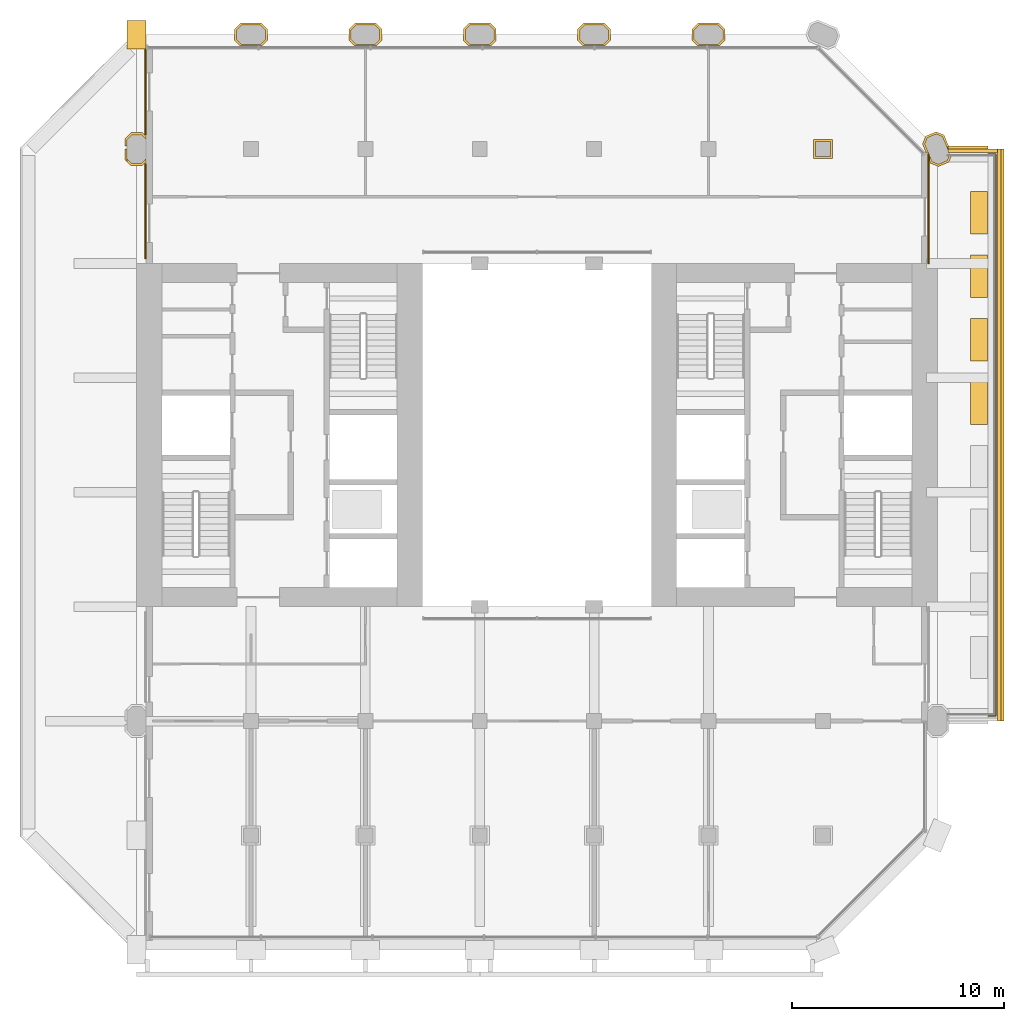
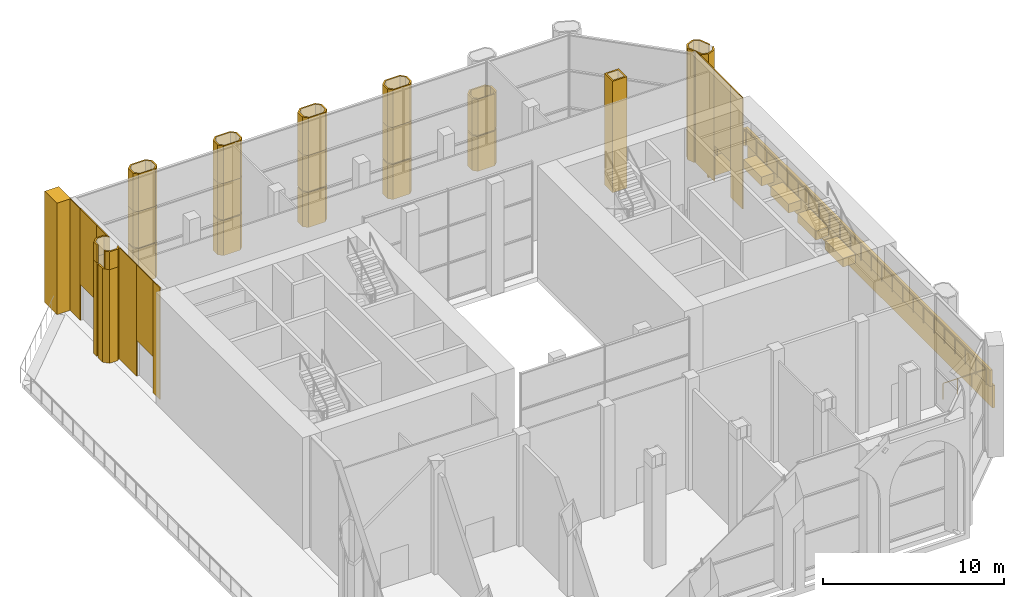
# One storey, part 18 of 20: 38 coverings, 1 railing.
"""IFC4 building model written with IfcOpenShell, lengths in metres."""

from ifc_helpers import new_model, si_unit, direction, frame, frame_2d, origin, origin_2d, place, context, subcontext, project, spatial, polyline, rectangle, circle, outline, extrude, material, layer, layer_set, type_object, element, save


model = new_model("IFC4")

# Units and contexts
model_context = context("Model", 3, precision=1e-05, world=origin(), true_north=direction((0.0, 1.0)))
body_context = subcontext(model_context, "Body", "Model", "MODEL_VIEW")
ifc_project = project(units=[si_unit("LENGTHUNIT", "METRE"), si_unit("AREAUNIT", "SQUARE_METRE"), si_unit("VOLUMEUNIT", "CUBIC_METRE"), si_unit("PLANEANGLEUNIT", "RADIAN"), si_unit("MASSUNIT", "GRAM", prefix="KILO")], contexts=[model_context])

# Site, building, storey
site_placement = place(None, origin())
site = spatial("IfcSite", under=ifc_project, at=site_placement, CompositionType="ELEMENT")
building_placement = place(site_placement, origin())
building = spatial("IfcBuilding", under=site, at=building_placement, Name="Tabaq Tower and Sports Hall", CompositionType="ELEMENT")
storey_placement = place(building_placement, frame((0.0, 0.0, 243.10009765625)))
storey = spatial("IfcBuildingStorey", under=building, at=storey_placement, Name="L60", CompositionType="ELEMENT", Elevation=243.10009765625)

# Coverings
ifc_material_1 = material(Name="Precast concrete C60/75", Category="concrete")
ifc_layer_1 = layer(ifc_material_1, 0.10009765625)
ifc_layer_set_1 = layer_set([ifc_layer_1], Name="Column cladding 100")
covering_type_1 = type_object("IfcCoveringType", Name="Column cladding 100", PredefinedType="CLADDING", material=ifc_layer_set_1)
covering_1_placement = place(storey_placement, origin())
element("IfcCovering", 1, at=covering_1_placement, inside=storey, type_object=covering_type_1, Name="Column cladding L60 PC-2H-S2", PredefinedType="CLADDING", context=body_context, shape_type="SweptSolid", body=[
    extrude(outline(polyline([(5.1337890625, 37.025390625), (4.850341796875, 37.30859375), (4.850341796875, 37.7998046875), (4.94970703125, 37.7998046875), (4.94970703125, 37.349853515625), (5.1748046875, 37.124755859375), (5.625244140625, 37.124755859375), (5.849609375, 37.349365234375), (5.849609375, 37.208740234375), (5.666259765625, 37.025390625), (5.1337890625, 37.025390625)])), origin(), (0.0, 0.0, 1.0), 6.2998046875),
])
covering_2_placement = place(storey_placement, origin())
element("IfcCovering", 2, at=covering_2_placement, inside=storey, type_object=covering_type_1, Name="Column cladding L60 PC-2H-S2 2", PredefinedType="CLADDING", context=body_context, shape_type="SweptSolid", body=[
    extrude(outline(polyline([(4.850341796875, 38.291259765625), (5.1337890625, 38.57470703125), (5.666259765625, 38.57470703125), (5.849609375, 38.391357421875), (5.849609375, 38.250732421875), (5.625244140625, 38.475341796875), (5.1748046875, 38.475341796875), (4.94970703125, 38.250244140625), (4.94970703125, 37.9501953125), (4.850341796875, 37.95556640625), (4.850341796875, 38.291259765625)])), origin(), (0.0, 0.0, 1.0), 6.2998046875),
])
covering_3_placement = place(storey_placement, frame((0.0, 0.0, 6.2998046875)))
element("IfcCovering", 3, at=covering_3_placement, inside=storey, type_object=covering_type_1, Name="Column cladding L60 PC-2H-S2 head", PredefinedType="CLADDING", context=body_context, shape_type="SweptSolid", body=[
    extrude(outline(polyline([(5.1337890625, 38.57470703125), (5.666259765625, 38.57470703125), (5.849609375, 38.391357421875), (5.849609375, 38.250732421875), (5.625244140625, 38.475341796875), (5.1748046875, 38.475341796875), (4.94970703125, 38.250244140625), (4.94970703125, 37.9501953125), (4.850341796875, 37.95556640625), (4.850341796875, 38.291259765625), (5.1337890625, 38.57470703125)])), origin(), (0.0, 0.0, 1.0), 1.2001953125),
])
covering_4_placement = place(storey_placement, frame((0.0, 0.0, 6.2998046875)))
element("IfcCovering", 4, at=covering_4_placement, inside=storey, type_object=covering_type_1, Name="Column cladding L60 PC-2H-S2 head 2", PredefinedType="CLADDING", context=body_context, shape_type="SweptSolid", body=[
    extrude(outline(polyline([(4.9501953125, 37.208740234375), (4.9501953125, 37.349365234375), (5.1748046875, 37.124755859375), (5.625244140625, 37.124755859375), (5.849609375, 37.349365234375), (5.849609375, 37.208740234375), (5.666259765625, 37.025390625), (5.1337890625, 37.025390625), (4.9501953125, 37.208740234375)])), origin(), (0.0, 0.0, 1.0), 1.2001953125),
])
covering_5_placement = place(storey_placement, frame((0.0, 0.0, 0.114990234375)))
element("IfcCovering", 5, at=covering_5_placement, inside=storey, type_object=covering_type_1, Name="Column cladding L60 PC-3I-S2", PredefinedType="CLADDING", context=body_context, shape_type="SweptSolid", body=[
    extrude(outline(polyline([(10.025390625, 43.46630859375), (10.30859375, 43.749755859375), (11.291259765625, 43.749755859375), (11.57470703125, 43.46630859375), (11.57470703125, 42.93359375), (11.34130859375, 42.7001953125), (10.2587890625, 42.7001953125), (10.025390625, 42.93359375), (10.025390625, 43.46630859375)]), holes=[polyline([(11.475341796875, 42.974853515625), (11.475341796875, 43.425048828125), (11.250244140625, 43.650390625), (10.349853515625, 43.650390625), (10.124755859375, 43.425048828125), (10.124755859375, 42.974853515625), (10.349853515625, 42.749755859375), (11.250244140625, 42.749755859375), (11.475341796875, 42.974853515625)])]), origin(), (0.0, 0.0, 1.0), 2.349853515625),
])
covering_6_placement = place(storey_placement, frame((0.0, 0.0, 2.534912109375)))
element("IfcCovering", 6, at=covering_6_placement, inside=storey, type_object=covering_type_1, Name="Column cladding L60 PC-3I-S2 2", PredefinedType="CLADDING", context=body_context, shape_type="SweptSolid", body=[
    extrude(outline(polyline([(10.025390625, 43.46630859375), (10.30859375, 43.749755859375), (11.291259765625, 43.749755859375), (11.57470703125, 43.46630859375), (11.57470703125, 42.93359375), (11.34130859375, 42.7001953125), (10.2587890625, 42.7001953125), (10.025390625, 42.93359375), (10.025390625, 43.46630859375)]), holes=[polyline([(11.475341796875, 42.974853515625), (11.475341796875, 43.425048828125), (11.250244140625, 43.650390625), (10.349853515625, 43.650390625), (10.124755859375, 43.425048828125), (10.124755859375, 42.974853515625), (10.349853515625, 42.749755859375), (11.250244140625, 42.749755859375), (11.475341796875, 42.974853515625)])]), origin(), (0.0, 0.0, 1.0), 2.429931640625),
])
covering_7_placement = place(storey_placement, frame((0.0, 0.0, 4.96484375)))
element("IfcCovering", 7, at=covering_7_placement, inside=storey, type_object=covering_type_1, Name="Column cladding L60 PC-3I-S2 head", PredefinedType="CLADDING", context=body_context, shape_type="SweptSolid", body=[
    extrude(outline(polyline([(10.30859375, 43.749755859375), (11.291259765625, 43.749755859375), (11.57470703125, 43.46630859375), (11.57470703125, 42.93359375), (11.34130859375, 42.7001953125), (10.2587890625, 42.7001953125), (10.025390625, 42.93359375), (10.025390625, 43.46630859375), (10.30859375, 43.749755859375)]), holes=[polyline([(11.475341796875, 43.425048828125), (11.250244140625, 43.650390625), (10.349853515625, 43.650390625), (10.124755859375, 43.425048828125), (10.124755859375, 42.974853515625), (10.349853515625, 42.749755859375), (11.250244140625, 42.749755859375), (11.475341796875, 42.974853515625), (11.475341796875, 43.425048828125)])]), origin(), (0.0, 0.0, 1.0), 2.53515625),
])
covering_8_placement = place(storey_placement, frame((0.0, 0.0, 0.114990234375)))
element("IfcCovering", 8, at=covering_8_placement, inside=storey, type_object=covering_type_1, Name="Column cladding L60 PC-4I-S2", PredefinedType="CLADDING", context=body_context, shape_type="SweptSolid", body=[
    extrude(outline(polyline([(15.42529296875, 43.46630859375), (15.708740234375, 43.749755859375), (16.69140625, 43.749755859375), (16.974609375, 43.46630859375), (16.974609375, 42.93359375), (16.7412109375, 42.7001953125), (15.65869140625, 42.7001953125), (15.42529296875, 42.93359375), (15.42529296875, 43.46630859375)]), holes=[polyline([(16.875244140625, 42.974853515625), (16.875244140625, 43.425048828125), (16.650146484375, 43.650390625), (15.749755859375, 43.650390625), (15.524658203125, 43.425048828125), (15.524658203125, 42.974853515625), (15.749755859375, 42.749755859375), (16.650146484375, 42.749755859375), (16.875244140625, 42.974853515625)])]), origin(), (0.0, 0.0, 1.0), 2.349853515625),
])
covering_9_placement = place(storey_placement, frame((0.0, 0.0, 2.534912109375)))
element("IfcCovering", 9, at=covering_9_placement, inside=storey, type_object=covering_type_1, Name="Column cladding L60 PC-4I-S2 2", PredefinedType="CLADDING", context=body_context, shape_type="SweptSolid", body=[
    extrude(outline(polyline([(15.42529296875, 43.46630859375), (15.708740234375, 43.749755859375), (16.69140625, 43.749755859375), (16.974609375, 43.46630859375), (16.974609375, 42.93359375), (16.7412109375, 42.7001953125), (15.65869140625, 42.7001953125), (15.42529296875, 42.93359375), (15.42529296875, 43.46630859375)]), holes=[polyline([(16.875244140625, 42.974853515625), (16.875244140625, 43.425048828125), (16.650146484375, 43.650390625), (15.749755859375, 43.650390625), (15.524658203125, 43.425048828125), (15.524658203125, 42.974853515625), (15.749755859375, 42.749755859375), (16.650146484375, 42.749755859375), (16.875244140625, 42.974853515625)])]), origin(), (0.0, 0.0, 1.0), 2.429931640625),
])
covering_10_placement = place(storey_placement, frame((0.0, 0.0, 4.96484375)))
element("IfcCovering", 10, at=covering_10_placement, inside=storey, type_object=covering_type_1, Name="Column cladding L60 PC-4I-S2 head", PredefinedType="CLADDING", context=body_context, shape_type="SweptSolid", body=[
    extrude(outline(polyline([(15.708740234375, 43.749755859375), (16.69140625, 43.749755859375), (16.974609375, 43.46630859375), (16.974609375, 42.93359375), (16.7412109375, 42.7001953125), (15.65869140625, 42.7001953125), (15.42529296875, 42.93359375), (15.42529296875, 43.46630859375), (15.708740234375, 43.749755859375)]), holes=[polyline([(16.875244140625, 43.425048828125), (16.650146484375, 43.650390625), (15.749755859375, 43.650390625), (15.524658203125, 43.425048828125), (15.524658203125, 42.974853515625), (15.749755859375, 42.749755859375), (16.650146484375, 42.749755859375), (16.875244140625, 42.974853515625), (16.875244140625, 43.425048828125)])]), origin(), (0.0, 0.0, 1.0), 2.53515625),
])
covering_11_placement = place(storey_placement, frame((0.0, 0.0, 0.114990234375)))
element("IfcCovering", 11, at=covering_11_placement, inside=storey, type_object=covering_type_1, Name="Column cladding L60 PC-5I-S2", PredefinedType="CLADDING", context=body_context, shape_type="SweptSolid", body=[
    extrude(outline(polyline([(20.8251953125, 43.46630859375), (21.108642578125, 43.749755859375), (22.09130859375, 43.749755859375), (22.374755859375, 43.46630859375), (22.374755859375, 42.93359375), (22.141357421875, 42.7001953125), (21.05859375, 42.7001953125), (20.8251953125, 42.93359375), (20.8251953125, 43.46630859375)]), holes=[polyline([(22.275390625, 42.974853515625), (22.275390625, 43.425048828125), (22.050048828125, 43.650390625), (21.14990234375, 43.650390625), (20.9248046875, 43.425048828125), (20.9248046875, 42.974853515625), (21.14990234375, 42.749755859375), (22.050048828125, 42.749755859375), (22.275390625, 42.974853515625)])]), origin(), (0.0, 0.0, 1.0), 2.349853515625),
])
covering_12_placement = place(storey_placement, frame((0.0, 0.0, 2.534912109375)))
element("IfcCovering", 12, at=covering_12_placement, inside=storey, type_object=covering_type_1, Name="Column cladding L60 PC-5I-S2 2", PredefinedType="CLADDING", context=body_context, shape_type="SweptSolid", body=[
    extrude(outline(polyline([(20.8251953125, 43.46630859375), (21.108642578125, 43.749755859375), (22.09130859375, 43.749755859375), (22.374755859375, 43.46630859375), (22.374755859375, 42.93359375), (22.141357421875, 42.7001953125), (21.05859375, 42.7001953125), (20.8251953125, 42.93359375), (20.8251953125, 43.46630859375)]), holes=[polyline([(22.275390625, 42.974853515625), (22.275390625, 43.425048828125), (22.050048828125, 43.650390625), (21.14990234375, 43.650390625), (20.9248046875, 43.425048828125), (20.9248046875, 42.974853515625), (21.14990234375, 42.749755859375), (22.050048828125, 42.749755859375), (22.275390625, 42.974853515625)])]), origin(), (0.0, 0.0, 1.0), 2.429931640625),
])
covering_13_placement = place(storey_placement, frame((0.0, 0.0, 4.96484375)))
element("IfcCovering", 13, at=covering_13_placement, inside=storey, type_object=covering_type_1, Name="Column cladding L60 PC-5I-S2 head", PredefinedType="CLADDING", context=body_context, shape_type="SweptSolid", body=[
    extrude(outline(polyline([(21.108642578125, 43.749755859375), (22.09130859375, 43.749755859375), (22.374755859375, 43.46630859375), (22.374755859375, 42.93359375), (22.141357421875, 42.7001953125), (21.05859375, 42.7001953125), (20.8251953125, 42.93359375), (20.8251953125, 43.46630859375), (21.108642578125, 43.749755859375)]), holes=[polyline([(22.275390625, 43.425048828125), (22.050048828125, 43.650390625), (21.14990234375, 43.650390625), (20.9248046875, 43.425048828125), (20.9248046875, 42.974853515625), (21.14990234375, 42.749755859375), (22.050048828125, 42.749755859375), (22.275390625, 42.974853515625), (22.275390625, 43.425048828125)])]), origin(), (0.0, 0.0, 1.0), 2.53515625),
])
covering_14_placement = place(storey_placement, frame((0.0, 0.0, 0.114990234375)))
element("IfcCovering", 14, at=covering_14_placement, inside=storey, type_object=covering_type_1, Name="Column cladding L60 PC-6I-S2", PredefinedType="CLADDING", context=body_context, shape_type="SweptSolid", body=[
    extrude(outline(polyline([(26.225341796875, 43.46630859375), (26.5087890625, 43.749755859375), (27.4912109375, 43.749755859375), (27.774658203125, 43.46630859375), (27.774658203125, 42.93359375), (27.541259765625, 42.7001953125), (26.458740234375, 42.7001953125), (26.225341796875, 42.93359375), (26.225341796875, 43.46630859375)]), holes=[polyline([(27.67529296875, 42.974853515625), (27.67529296875, 43.425048828125), (27.4501953125, 43.650390625), (26.5498046875, 43.650390625), (26.32470703125, 43.425048828125), (26.32470703125, 42.974853515625), (26.5498046875, 42.749755859375), (27.4501953125, 42.749755859375), (27.67529296875, 42.974853515625)])]), origin(), (0.0, 0.0, 1.0), 2.349853515625),
])
covering_15_placement = place(storey_placement, frame((0.0, 0.0, 2.534912109375)))
element("IfcCovering", 15, at=covering_15_placement, inside=storey, type_object=covering_type_1, Name="Column cladding L60 PC-6I-S2 2", PredefinedType="CLADDING", context=body_context, shape_type="SweptSolid", body=[
    extrude(outline(polyline([(26.225341796875, 43.46630859375), (26.5087890625, 43.749755859375), (27.4912109375, 43.749755859375), (27.774658203125, 43.46630859375), (27.774658203125, 42.93359375), (27.541259765625, 42.7001953125), (26.458740234375, 42.7001953125), (26.225341796875, 42.93359375), (26.225341796875, 43.46630859375)]), holes=[polyline([(27.67529296875, 42.974853515625), (27.67529296875, 43.425048828125), (27.4501953125, 43.650390625), (26.5498046875, 43.650390625), (26.32470703125, 43.425048828125), (26.32470703125, 42.974853515625), (26.5498046875, 42.749755859375), (27.4501953125, 42.749755859375), (27.67529296875, 42.974853515625)])]), origin(), (0.0, 0.0, 1.0), 2.429931640625),
])
covering_16_placement = place(storey_placement, frame((0.0, 0.0, 4.96484375)))
element("IfcCovering", 16, at=covering_16_placement, inside=storey, type_object=covering_type_1, Name="Column cladding L60 PC-6I-S2 head", PredefinedType="CLADDING", context=body_context, shape_type="SweptSolid", body=[
    extrude(outline(polyline([(26.5087890625, 43.749755859375), (27.4912109375, 43.749755859375), (27.774658203125, 43.46630859375), (27.774658203125, 42.93359375), (27.541259765625, 42.7001953125), (26.458740234375, 42.7001953125), (26.225341796875, 42.93359375), (26.225341796875, 43.46630859375), (26.5087890625, 43.749755859375)]), holes=[polyline([(27.67529296875, 43.425048828125), (27.4501953125, 43.650390625), (26.5498046875, 43.650390625), (26.32470703125, 43.425048828125), (26.32470703125, 42.974853515625), (26.5498046875, 42.749755859375), (27.4501953125, 42.749755859375), (27.67529296875, 42.974853515625), (27.67529296875, 43.425048828125)])]), origin(), (0.0, 0.0, 1.0), 2.53515625),
])
covering_17_placement = place(storey_placement, frame((0.0, 0.0, 0.114990234375)))
element("IfcCovering", 17, at=covering_17_placement, inside=storey, type_object=covering_type_1, Name="Column cladding L60 PC-7I-S2", PredefinedType="CLADDING", context=body_context, shape_type="SweptSolid", body=[
    extrude(outline(polyline([(31.625244140625, 43.46630859375), (31.90869140625, 43.749755859375), (32.891357421875, 43.749755859375), (33.1748046875, 43.46630859375), (33.1748046875, 42.93359375), (32.94140625, 42.7001953125), (31.858642578125, 42.7001953125), (31.625244140625, 42.93359375), (31.625244140625, 43.46630859375)]), holes=[polyline([(33.0751953125, 42.974853515625), (33.0751953125, 43.425048828125), (32.85009765625, 43.650390625), (31.949951171875, 43.650390625), (31.724609375, 43.425048828125), (31.724609375, 42.974853515625), (31.949951171875, 42.749755859375), (32.85009765625, 42.749755859375), (33.0751953125, 42.974853515625)])]), origin(), (0.0, 0.0, 1.0), 2.349853515625),
])
covering_18_placement = place(storey_placement, frame((0.0, 0.0, 2.534912109375)))
element("IfcCovering", 18, at=covering_18_placement, inside=storey, type_object=covering_type_1, Name="Column cladding L60 PC-7I-S2 2", PredefinedType="CLADDING", context=body_context, shape_type="SweptSolid", body=[
    extrude(outline(polyline([(31.625244140625, 43.46630859375), (31.90869140625, 43.749755859375), (32.891357421875, 43.749755859375), (33.1748046875, 43.46630859375), (33.1748046875, 42.93359375), (32.94140625, 42.7001953125), (31.858642578125, 42.7001953125), (31.625244140625, 42.93359375), (31.625244140625, 43.46630859375)]), holes=[polyline([(33.0751953125, 42.974853515625), (33.0751953125, 43.425048828125), (32.85009765625, 43.650390625), (31.949951171875, 43.650390625), (31.724609375, 43.425048828125), (31.724609375, 42.974853515625), (31.949951171875, 42.749755859375), (32.85009765625, 42.749755859375), (33.0751953125, 42.974853515625)])]), origin(), (0.0, 0.0, 1.0), 2.429931640625),
])
covering_19_placement = place(storey_placement, origin())
element("IfcCovering", 19, at=covering_19_placement, inside=storey, type_object=covering_type_1, Name="Column cladding L60 CC-8H-S2", PredefinedType="CLADDING", context=body_context, shape_type="SweptSolid", body=[
    extrude(outline(polyline([(37.350341796875, 38.249755859375), (38.249755859375, 38.249755859375), (38.249755859375, 37.350341796875), (37.350341796875, 37.350341796875), (37.350341796875, 38.249755859375)]), holes=[polyline([(38.150390625, 37.44970703125), (38.150390625, 38.150390625), (37.44970703125, 38.150390625), (37.44970703125, 37.44970703125), (38.150390625, 37.44970703125)])]), origin(), (0.0, 0.0, 1.0), 7.5),
])
covering_20_placement = place(storey_placement, origin())
element("IfcCovering", 20, at=covering_20_placement, inside=storey, type_object=covering_type_1, Name="Column cladding L60 PC-9H-S2", PredefinedType="CLADDING", context=body_context, shape_type="SweptSolid", body=[
    extrude(outline(polyline([(43.25048828125, 36.982421875), (42.880126953125, 37.1357421875), (42.810302734375, 37.304443359375), (42.810302734375, 37.55712890625), (42.750244140625, 37.55712890625), (42.750244140625, 37.614013671875), (42.68212890625, 37.614013671875), (42.504150390625, 38.04345703125), (42.657470703125, 38.413818359375), (43.149658203125, 38.61767578125), (43.519775390625, 38.46435546875), (43.794921875, 37.80029296875), (43.69970703125, 37.80029296875), (43.69970703125, 37.770263671875), (43.44384765625, 38.38818359375), (43.149658203125, 38.510009765625), (42.733642578125, 38.337646484375), (42.61181640625, 38.04345703125), (42.956298828125, 37.2119140625), (43.25048828125, 37.08984375), (43.66650390625, 37.26220703125), (43.7607421875, 37.48974609375), (43.8681640625, 37.48974609375), (43.742431640625, 37.186279296875), (43.25048828125, 36.982421875)])), origin(), (0.0, 0.0, 1.0), 7.5),
])

# Railing
ifc_material_2 = material(Name="Stainless steel S316 and laminated glass", Category="steel")
railing_type = type_object("IfcRailingType", Name="Guard 1100 steel and glass", PredefinedType="GUARDRAIL", material=ifc_material_2)
railing_placement = place(storey_placement, frame((43.199951171875, 11.050048828125, 0.0)))
element("IfcRailing", 21, at=railing_placement, inside=storey, type_object=railing_type, Name="Tray guard L60", PredefinedType="GUARDRAIL", context=body_context, shape_type="SweptSolid", body=[
    extrude(circle(Radius=0.02490234375, at=origin_2d()), frame((0.0, 0.0, 1.0751953125), z_axis=(1.0, 0.0, 0.0), x_axis=(0.0, 1.0, 0.0)), (0.0, 0.0, 1.0), 2.75),
    extrude(circle(Radius=0.02490234375, at=origin_2d()), frame((2.75, 0.0, 1.0751953125), z_axis=(0.0, 1.0, 0.0), x_axis=(-1.0, 0.0, 0.0)), (0.0, 0.0, 1.0), 26.5),
    extrude(circle(Radius=0.02490234375, at=origin_2d()), frame((2.75, 26.5, 1.0751953125), z_axis=(-1.0, 0.0, 0.0), x_axis=(0.0, -1.0, 0.0)), (0.0, 0.0, 1.0), 2.75),
    extrude(circle(Radius=0.02001953125, at=origin_2d()), origin(), (0.0, 0.0, 1.0), 1.050048828125),
    extrude(circle(Radius=0.02001953125, at=origin_2d()), frame((0.916748046875, 0.0, 0.0)), (0.0, 0.0, 1.0), 1.050048828125),
    extrude(circle(Radius=0.02001953125, at=origin_2d()), frame((1.833251953125, 0.0, 0.0)), (0.0, 0.0, 1.0), 1.050048828125),
    extrude(circle(Radius=0.02001953125, at=origin_2d()), frame((2.75, 0.0, 0.0)), (0.0, 0.0, 1.0), 1.050048828125),
    extrude(circle(Radius=0.02001953125, at=origin_2d()), frame((2.75, 1.152099609375, 0.0)), (0.0, 0.0, 1.0), 1.050048828125),
    extrude(circle(Radius=0.02001953125, at=origin_2d()), frame((2.75, 2.304443359375, 0.0)), (0.0, 0.0, 1.0), 1.050048828125),
    extrude(circle(Radius=0.02001953125, at=origin_2d()), frame((2.75, 3.45654296875, 0.0)), (0.0, 0.0, 1.0), 1.050048828125),
    extrude(circle(Radius=0.02001953125, at=origin_2d()), frame((2.75, 4.608642578125, 0.0)), (0.0, 0.0, 1.0), 1.050048828125),
    extrude(circle(Radius=0.02001953125, at=origin_2d()), frame((2.75, 5.760986328125, 0.0)), (0.0, 0.0, 1.0), 1.050048828125),
    extrude(circle(Radius=0.02001953125, at=origin_2d()), frame((2.75, 6.9130859375, 0.0)), (0.0, 0.0, 1.0), 1.050048828125),
    extrude(circle(Radius=0.02001953125, at=origin_2d()), frame((2.75, 8.065185546875, 0.0)), (0.0, 0.0, 1.0), 1.050048828125),
    extrude(circle(Radius=0.02001953125, at=origin_2d()), frame((2.75, 9.21728515625, 0.0)), (0.0, 0.0, 1.0), 1.050048828125),
    extrude(circle(Radius=0.02001953125, at=origin_2d()), frame((2.75, 10.36962890625, 0.0)), (0.0, 0.0, 1.0), 1.050048828125),
    extrude(circle(Radius=0.02001953125, at=origin_2d()), frame((2.75, 11.521728515625, 0.0)), (0.0, 0.0, 1.0), 1.050048828125),
    extrude(circle(Radius=0.02001953125, at=origin_2d()), frame((2.75, 12.673828125, 0.0)), (0.0, 0.0, 1.0), 1.050048828125),
    extrude(circle(Radius=0.02001953125, at=origin_2d()), frame((2.75, 13.826171875, 0.0)), (0.0, 0.0, 1.0), 1.050048828125),
    extrude(circle(Radius=0.02001953125, at=origin_2d()), frame((2.75, 14.978271484375, 0.0)), (0.0, 0.0, 1.0), 1.050048828125),
    extrude(circle(Radius=0.02001953125, at=origin_2d()), frame((2.75, 16.13037109375, 0.0)), (0.0, 0.0, 1.0), 1.050048828125),
    extrude(circle(Radius=0.02001953125, at=origin_2d()), frame((2.75, 17.28271484375, 0.0)), (0.0, 0.0, 1.0), 1.050048828125),
    extrude(circle(Radius=0.02001953125, at=origin_2d()), frame((2.75, 18.434814453125, 0.0)), (0.0, 0.0, 1.0), 1.050048828125),
    extrude(circle(Radius=0.02001953125, at=origin_2d()), frame((2.75, 19.5869140625, 0.0)), (0.0, 0.0, 1.0), 1.050048828125),
    extrude(circle(Radius=0.02001953125, at=origin_2d()), frame((2.75, 20.739013671875, 0.0)), (0.0, 0.0, 1.0), 1.050048828125),
    extrude(circle(Radius=0.02001953125, at=origin_2d()), frame((2.75, 21.891357421875, 0.0)), (0.0, 0.0, 1.0), 1.050048828125),
    extrude(circle(Radius=0.02001953125, at=origin_2d()), frame((2.75, 23.04345703125, 0.0)), (0.0, 0.0, 1.0), 1.050048828125),
    extrude(circle(Radius=0.02001953125, at=origin_2d()), frame((2.75, 24.195556640625, 0.0)), (0.0, 0.0, 1.0), 1.050048828125),
    extrude(circle(Radius=0.02001953125, at=origin_2d()), frame((2.75, 25.347900390625, 0.0)), (0.0, 0.0, 1.0), 1.050048828125),
    extrude(circle(Radius=0.02001953125, at=origin_2d()), frame((2.75, 26.5, 0.0)), (0.0, 0.0, 1.0), 1.050048828125),
    extrude(circle(Radius=0.02001953125, at=origin_2d()), frame((1.833251953125, 26.5, 0.0)), (0.0, 0.0, 1.0), 1.050048828125),
    extrude(circle(Radius=0.02001953125, at=origin_2d()), frame((0.916748046875, 26.5, 0.0)), (0.0, 0.0, 1.0), 1.050048828125),
    extrude(circle(Radius=0.02001953125, at=origin_2d()), frame((0.0, 26.5, 0.0)), (0.0, 0.0, 1.0), 1.050048828125),
])

# Coverings
ifc_material_3 = material(Name="White precast concrete C60/75", Category="concrete")
covering_type_2 = type_object("IfcCoveringType", Name="Pier cladding hung 1350x900", PredefinedType="CLADDING", material=ifc_material_3)
covering_21_placement = place(storey_placement, frame((5.39990234375, 43.875, 0.0), z_axis=(0.0, 0.0, 1.0), x_axis=(0.0, -1.0, 0.0)))
element("IfcCovering", 22, at=covering_21_placement, inside=storey, type_object=covering_type_2, Name="Hung pier cladding 1/8", PredefinedType="CLADDING", context=body_context, shape_type="SweptSolid", body=[
    extrude(rectangle(XDim=1.35009765625, YDim=0.89990234375, at=frame_2d((0.675048828125, 0.0))), origin(), (0.0, 0.0, 1.0), 7.5),
])
ifc_material_4 = material(Name="Planting soil and drainage layer")
covering_type_3 = type_object("IfcCoveringType", Name="Planter 2000x800x600", PredefinedType="USERDEFINED", material=ifc_material_4)
for number, where, z_axis, x_axis, name in (
    (23, (45.169921875, 25.800048828125, -0.000244140625), (0.0, 0.0, 1.0), (0.0, 1.0, 0.0), "Planter L60"),
    (24, (45.169921875, 28.800048828125, -0.000244140625), (0.0, 0.0, 1.0), (0.0, 1.0, 0.0), "Planter L60"),
    (25, (45.169921875, 31.800048828125, -0.000244140625), (0.0, 0.0, 1.0), (0.0, 1.0, 0.0), "Planter L60"),
    (26, (45.169921875, 34.800048828125, -0.000244140625), (0.0, 0.0, 1.0), (0.0, 1.0, 0.0), "Planter L60"),
):
    element("IfcCovering", number, at=place(storey_placement, frame(where, z_axis=z_axis, x_axis=x_axis)), inside=storey, type_object=covering_type_3, Name=name, ObjectType="PLANTER", PredefinedType="USERDEFINED", context=body_context, shape_type="SweptSolid", body=[
        extrude(rectangle(XDim=2.0, YDim=0.800048828125, at=origin_2d()), origin(), (0.0, 0.0, 1.0), 0.60009765625),
    ])
ifc_material_5 = material(Name="Precast concrete C60/75", Category="concrete")
ifc_layer_2 = layer(ifc_material_5, 0.14990234375)
ifc_layer_set_2 = layer_set([ifc_layer_2], Name="Tray fascia 1200")
covering_type_4 = type_object("IfcCoveringType", Name="Tray fascia 1200", PredefinedType="CLADDING", material=ifc_layer_set_2)
covering_22_placement = place(storey_placement, frame((43.69677734375, 37.875, -1.5), z_axis=(0.0, 0.0, 1.0), x_axis=(1.0, 0.0, 0.0)))
element("IfcCovering", 27, at=covering_22_placement, inside=storey, type_object=covering_type_4, Name="Tray fascia L60 EBT", PredefinedType="CLADDING", context=body_context, shape_type="SweptSolid", body=[
    extrude(rectangle(XDim=1.9033203125, YDim=0.14990234375, at=frame_2d((0.95166015625, 0.0))), origin(), (0.0, 0.0, 1.0), 1.5),
])
covering_23_placement = place(storey_placement, frame((46.27490234375, 10.800048828125, -1.5), z_axis=(0.0, 0.0, 1.0), x_axis=(0.0, 1.0, 0.0)))
element("IfcCovering", 28, at=covering_23_placement, inside=storey, type_object=covering_type_4, Name="Tray fascia L60 EBT", PredefinedType="CLADDING", context=body_context, shape_type="SweptSolid", body=[
    extrude(rectangle(XDim=27.0, YDim=0.14990234375, at=frame_2d((13.5, 0.0))), origin(), (0.0, 0.0, 1.0), 1.5),
])
ifc_material_6 = material(Name="Precast concrete C60/75", Category="concrete")
ifc_layer_3 = layer(ifc_material_6, 0.14990234375)
ifc_layer_set_3 = layer_set([ifc_layer_3], Name="Tray upstand cladding 1100")
covering_type_5 = type_object("IfcCoveringType", Name="Tray upstand cladding 1100", PredefinedType="CLADDING", material=ifc_layer_set_3)
covering_24_placement = place(storey_placement, frame((46.125, 10.800048828125, 0.0), z_axis=(0.0, 0.0, 1.0), x_axis=(0.0, 1.0, 0.0)))
element("IfcCovering", 29, at=covering_24_placement, inside=storey, type_object=covering_type_5, Name="Tray upstand cladding L60", PredefinedType="CLADDING", context=body_context, shape_type="SweptSolid", body=[
    extrude(rectangle(XDim=27.0, YDim=0.14990234375, at=frame_2d((13.5, 0.0))), origin(), (0.0, 0.0, 1.0), 1.099853515625),
])
covering_25_placement = place(storey_placement, frame((43.699951171875, 37.72509765625, 0.0), z_axis=(0.0, 0.0, 1.0), x_axis=(1.0, 0.0, 0.0)))
element("IfcCovering", 30, at=covering_25_placement, inside=storey, type_object=covering_type_5, Name="Tray upstand cladding L60", PredefinedType="CLADDING", context=body_context, shape_type="SweptSolid", body=[
    extrude(rectangle(XDim=2.35009765625, YDim=0.14990234375, at=frame_2d((1.175048828125, 0.0))), origin(), (0.0, 0.0, 1.0), 1.099853515625),
])
ifc_material_7 = material(Name="Precast concrete C60/75", Category="concrete")
ifc_layer_4 = layer(ifc_material_7, 0.06005859375)
ifc_layer_set_4 = layer_set([ifc_layer_4], Name="White precast cladding panel 60 C60/75")
covering_type_6 = type_object("IfcCoveringType", Name="White precast cladding panel 60 C60/75", PredefinedType="CLADDING", material=ifc_layer_set_4)
covering_26_placement = place(storey_placement, frame((42.780029296875, 32.39990234375, 0.0), z_axis=(0.0, 0.0, 1.0), x_axis=(0.0, 1.0, 0.0)))
element("IfcCovering", 31, at=covering_26_placement, inside=storey, type_object=covering_type_6, Name="White precast cladding panel L60 infill02-1-0", PredefinedType="CLADDING", context=body_context, shape_type="SweptSolid", body=[
    extrude(rectangle(XDim=1.2900390625, YDim=0.06005859375, at=frame_2d((0.64501953125, 0.0))), origin(), (0.0, 0.0, 1.0), 7.5),
])
covering_27_placement = place(storey_placement, frame((42.780029296875, 33.68994140625, 2.409912109375), z_axis=(0.0, 0.0, 1.0), x_axis=(0.0, 1.0, 0.0)))
element("IfcCovering", 32, at=covering_27_placement, inside=storey, type_object=covering_type_6, Name="White precast cladding panel L60 infill02-1-0 2", PredefinedType="CLADDING", context=body_context, shape_type="SweptSolid", body=[
    extrude(rectangle(XDim=1.820068359375, YDim=0.06005859375, at=frame_2d((0.91015625, 0.0))), origin(), (0.0, 0.0, 1.0), 5.090087890625),
])
covering_28_placement = place(storey_placement, frame((42.780029296875, 35.510009765625, 0.0), z_axis=(0.0, 0.0, 1.0), x_axis=(0.0, 1.0, 0.0)))
element("IfcCovering", 33, at=covering_28_placement, inside=storey, type_object=covering_type_6, Name="White precast cladding panel L60 infill02-1-0 3", PredefinedType="CLADDING", context=body_context, shape_type="SweptSolid", body=[
    extrude(rectangle(XDim=2.046875, YDim=0.06005859375, at=frame_2d((1.0234375, 0.0))), origin(), (0.0, 0.0, 1.0), 7.5),
])
covering_29_placement = place(storey_placement, frame((5.820068359375, 42.514892578125, 0.0), z_axis=(0.0, 0.0, 1.0), x_axis=(0.0, -1.0, 0.0)))
element("IfcCovering", 34, at=covering_29_placement, inside=storey, type_object=covering_type_6, Name="White precast cladding panel L60 infill05-0-0", PredefinedType="CLADDING", context=body_context, shape_type="SweptSolid", body=[
    extrude(rectangle(XDim=1.10498046875, YDim=0.06005859375, at=frame_2d((0.552490234375, 0.0))), origin(), (0.0, 0.0, 1.0), 7.5),
])
covering_30_placement = place(storey_placement, frame((5.820068359375, 41.409912109375, 2.409912109375), z_axis=(0.0, 0.0, 1.0), x_axis=(0.0, -1.0, 0.0)))
element("IfcCovering", 35, at=covering_30_placement, inside=storey, type_object=covering_type_6, Name="White precast cladding panel L60 infill05-0-0 2", PredefinedType="CLADDING", context=body_context, shape_type="SweptSolid", body=[
    extrude(rectangle(XDim=1.81982421875, YDim=0.06005859375, at=frame_2d((0.909912109375, 0.0))), origin(), (0.0, 0.0, 1.0), 5.090087890625),
])
covering_31_placement = place(storey_placement, frame((5.820068359375, 39.590087890625, 0.0), z_axis=(0.0, 0.0, 1.0), x_axis=(0.0, -1.0, 0.0)))
element("IfcCovering", 36, at=covering_31_placement, inside=storey, type_object=covering_type_6, Name="White precast cladding panel L60 infill05-0-0 3", PredefinedType="CLADDING", context=body_context, shape_type="SweptSolid", body=[
    extrude(rectangle(XDim=1.10498046875, YDim=0.06005859375, at=frame_2d((0.552490234375, 0.0))), origin(), (0.0, 0.0, 1.0), 7.5),
])
covering_32_placement = place(storey_placement, frame((5.820068359375, 37.114990234375, 0.0), z_axis=(0.0, 0.0, 1.0), x_axis=(0.0, -1.0, 0.0)))
element("IfcCovering", 37, at=covering_32_placement, inside=storey, type_object=covering_type_6, Name="White precast cladding panel L60 infill05-0-0 4", PredefinedType="CLADDING", context=body_context, shape_type="SweptSolid", body=[
    extrude(rectangle(XDim=1.905029296875, YDim=0.06005859375, at=frame_2d((0.95263671875, 0.0))), origin(), (0.0, 0.0, 1.0), 7.5),
])
covering_33_placement = place(storey_placement, frame((5.820068359375, 35.2099609375, 2.409912109375), z_axis=(0.0, 0.0, 1.0), x_axis=(0.0, -1.0, 0.0)))
element("IfcCovering", 38, at=covering_33_placement, inside=storey, type_object=covering_type_6, Name="White precast cladding panel L60 infill05-0-0 5", PredefinedType="CLADDING", context=body_context, shape_type="SweptSolid", body=[
    extrude(rectangle(XDim=1.820068359375, YDim=0.06005859375, at=frame_2d((0.91015625, 0.0))), origin(), (0.0, 0.0, 1.0), 5.090087890625),
])
covering_34_placement = place(storey_placement, frame((5.820068359375, 33.389892578125, 0.0), z_axis=(0.0, 0.0, 1.0), x_axis=(0.0, -1.0, 0.0)))
element("IfcCovering", 39, at=covering_34_placement, inside=storey, type_object=covering_type_6, Name="White precast cladding panel L60 infill05-0-0 6", PredefinedType="CLADDING", context=body_context, shape_type="SweptSolid", body=[
    extrude(rectangle(XDim=0.7548828125, YDim=0.06005859375, at=frame_2d((0.37744140625, 0.0))), origin(), (0.0, 0.0, 1.0), 7.5),
])

save(model, "model.ifc")
